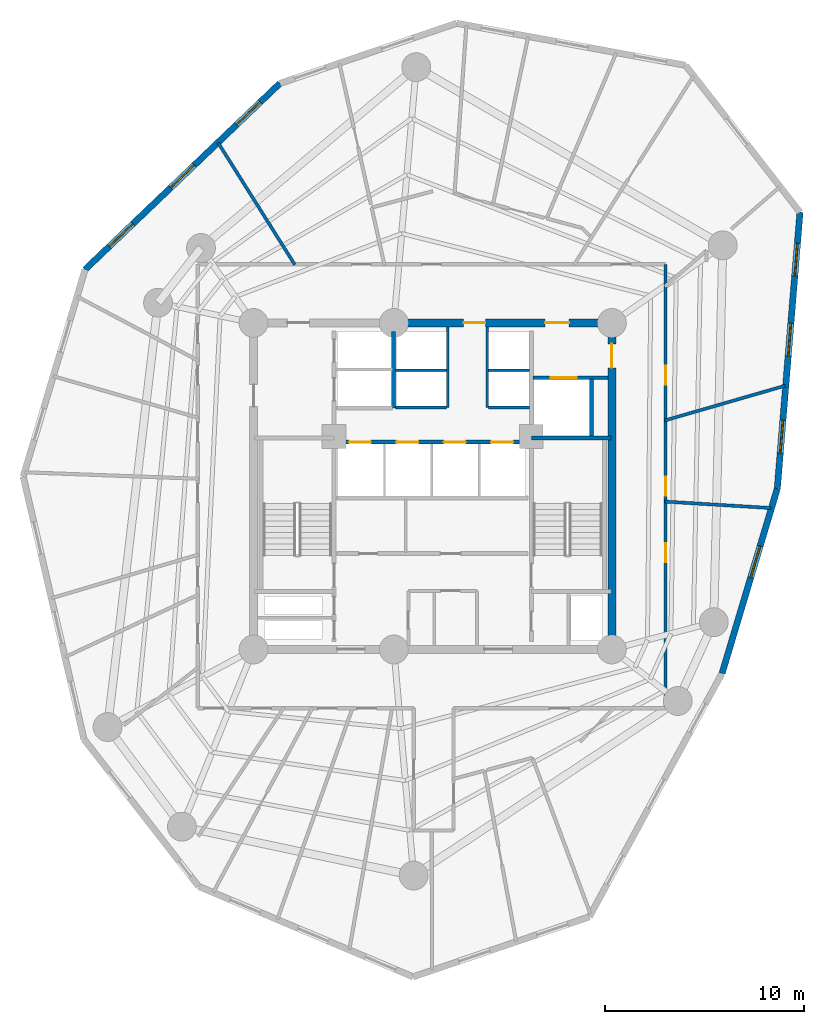
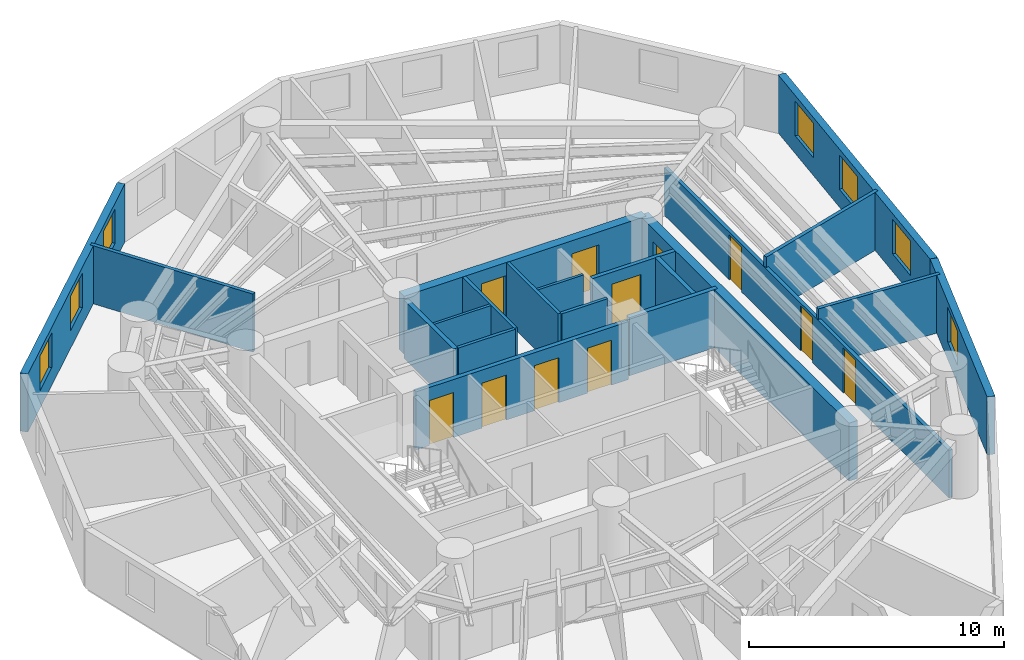
# One storey, part 5 of 7: 20 walls, 11 doors, 7 windows, 18 openings.
"""IFC4 building model written with IfcOpenShell, lengths in metres."""

from ifc_helpers import new_model, si_unit, direction, frame, frame_2d, origin, origin_with_axes, place, context, subcontext, project, spatial, rectangle, extrude, source, transform, mapped, material, layer, layer_set, type_object, element, fill, save


model = new_model("IFC4")

# Units and contexts
model_context = context("Model", 3, precision=1e-05, world=origin(), true_north=direction((0.0, 1.0)))
body_context = subcontext(model_context, "Body", "Model", "MODEL_VIEW")
ifc_project = project(units=[si_unit("LENGTHUNIT", "METRE"), si_unit("AREAUNIT", "SQUARE_METRE"), si_unit("VOLUMEUNIT", "CUBIC_METRE"), si_unit("PLANEANGLEUNIT", "RADIAN"), si_unit("MASSUNIT", "GRAM", prefix="KILO")], contexts=[model_context])

# Site, building, storey
site_placement = place(None, origin())
site = spatial("IfcSite", under=ifc_project, at=site_placement, CompositionType="ELEMENT")
building_placement = place(site_placement, origin())
building = spatial("IfcBuilding", under=site, at=building_placement, Name="Karkom Vertical University and Central Library", CompositionType="ELEMENT")
storey_placement = place(building_placement, frame((0.0, 0.0, 145.0)))
storey = spatial("IfcBuildingStorey", under=building, at=storey_placement, Name="L41", CompositionType="ELEMENT", Elevation=145.0)

# Wall, opening, window
ifc_material_1 = material(Name="Brick-faced precast concrete C45/55", Category="masonry")
ifc_layer_1 = layer(ifc_material_1, 0.320068359375)
ifc_layer_set_1 = layer_set([ifc_layer_1], Name="Brick-faced precast concrete C45/55")
wall_type_1 = type_object("IfcWallType", Name="ENV-WL-BRK-320", PredefinedType="SOLIDWALL", material=ifc_layer_set_1)
wall_1_placement = place(storey_placement, frame((43.03857421875, 17.1005859375, 0.0), z_axis=(0.0, 0.0, 1.0), x_axis=(0.286360235916, 0.958122025259, 0.0)))
wall_1 = element("IfcWall", 1, at=wall_1_placement, inside=storey, type_object=wall_type_1, Name="Level 41 Brick-Faced Precast Facade Wall 07", PredefinedType="SOLIDWALL", context=body_context, shape_type="SweptSolid", body=[
    extrude(rectangle(XDim=9.68505859375, YDim=0.320068359375, at=frame_2d((4.842529296875, 0.0))), origin(), (0.0, 0.0, 1.0), 2.77490234375),
])
opening_1_placement = place(wall_1_placement, frame((5.027099609375, 0.0, 0.85009765625)))
opening_1 = element("IfcOpeningElement", 2, at=opening_1_placement, cuts=wall_1, Name="Opening WN-06", PredefinedType="OPENING", context=body_context, shape_type="SweptSolid", body=[
    extrude(rectangle(XDim=1.64990234375, YDim=1.64990234375, at=frame_2d((0.824951171875, 0.824951171875))), frame((0.0, 0.169921875, 0.0), z_axis=(0.0, -1.0, 0.0), x_axis=(1.0, 0.0, 0.0)), (0.0, 0.0, 1.0), 0.340087890625),
])
ifc_material_2 = material(Name="Aluminium thermal-break frame with solar-control IGU", Category="aluminium")
window_type = type_object("IfcWindowType", Name="ENV-WIN-WN-06", PartitioningType="SINGLE_PANEL", PredefinedType="WINDOW", material=ifc_material_2)
shared_shape_1 = source(origin_with_axes(), body_context, "Body", "SweptSolid", [
    extrude(rectangle(XDim=1.64990234375, YDim=1.64990234375, at=frame_2d((0.824951171875, 0.824951171875))), frame((0.0, 0.030029296875, 0.0), z_axis=(0.0, -1.0, 0.0), x_axis=(1.0, 0.0, 0.0)), (0.0, 0.0, 1.0), 0.06005859375),
])
window_1_placement = place(opening_1_placement, origin())
window_1 = element("IfcWindow", 3, at=window_1_placement, inside=storey, type_object=window_type, Name="Level 41 Punched Window 7.1", OverallHeight=1.64990234375, OverallWidth=1.64990234375, PartitioningType="SINGLE_PANEL", PredefinedType="WINDOW", context=body_context, shape_type="MappedRepresentation", body=[
    mapped(shared_shape_1, transform((0.0, 0.0, 0.0), scale=1.0)),
])
fill(opening_1, window_1)

# Wall, openings, windows
wall_2_placement = place(storey_placement, frame((45.81201171875, 26.380126953125, 0.0), z_axis=(0.0, 0.0, 1.0), x_axis=(0.081815912513, 0.996647458462, 0.0)))
wall_2 = element("IfcWall", 4, at=wall_2_placement, inside=storey, type_object=wall_type_1, Name="Level 41 Brick-Faced Precast Facade Wall 08", PredefinedType="SOLIDWALL", context=body_context, shape_type="SweptSolid", body=[
    extrude(rectangle(XDim=13.935302734375, YDim=0.320068359375, at=frame_2d((6.9677734375, 0.0))), origin(), (0.0, 0.0, 1.0), 2.77490234375),
])
opening_2_placement = place(wall_2_placement, frame((1.791015625, 0.0, 0.85009765625)))
opening_2 = element("IfcOpeningElement", 5, at=opening_2_placement, cuts=wall_2, Name="Opening WN-06", PredefinedType="OPENING", context=body_context, shape_type="SweptSolid", body=[
    extrude(rectangle(XDim=1.64990234375, YDim=1.64990234375, at=frame_2d((0.824951171875, 0.824951171875))), frame((0.0, 0.169921875, 0.0), z_axis=(0.0, -1.0, 0.0), x_axis=(1.0, 0.0, 0.0)), (0.0, 0.0, 1.0), 0.340087890625),
])
opening_3_placement = place(wall_2_placement, frame((6.68310546875, 0.0, 0.85009765625)))
opening_3 = element("IfcOpeningElement", 6, at=opening_3_placement, cuts=wall_2, Name="Opening WN-06", PredefinedType="OPENING", context=body_context, shape_type="SweptSolid", body=[
    extrude(rectangle(XDim=1.64990234375, YDim=1.64990234375, at=frame_2d((0.824951171875, 0.824951171875))), frame((0.0, 0.169921875, 0.0), z_axis=(0.0, -1.0, 0.0), x_axis=(1.0, 0.0, 0.0)), (0.0, 0.0, 1.0), 0.340087890625),
])
opening_4_placement = place(wall_2_placement, frame((10.714599609375, 0.0, 0.85009765625)))
opening_4 = element("IfcOpeningElement", 7, at=opening_4_placement, cuts=wall_2, Name="Opening WN-06", PredefinedType="OPENING", context=body_context, shape_type="SweptSolid", body=[
    extrude(rectangle(XDim=1.64990234375, YDim=1.64990234375, at=frame_2d((0.824951171875, 0.824951171875))), frame((0.0, 0.169921875, 0.0), z_axis=(0.0, -1.0, 0.0), x_axis=(1.0, 0.0, 0.0)), (0.0, 0.0, 1.0), 0.340087890625),
])
window_2_placement = place(opening_2_placement, origin())
window_2 = element("IfcWindow", 8, at=window_2_placement, inside=storey, type_object=window_type, Name="Level 41 Punched Window 8.1", OverallHeight=1.64990234375, OverallWidth=1.64990234375, PartitioningType="SINGLE_PANEL", PredefinedType="WINDOW", context=body_context, shape_type="MappedRepresentation", body=[
    mapped(shared_shape_1, transform((0.0, 0.0, 0.0), scale=1.0)),
])
fill(opening_2, window_2)
window_3_placement = place(opening_3_placement, origin())
window_3 = element("IfcWindow", 9, at=window_3_placement, inside=storey, type_object=window_type, Name="Level 41 Punched Window 8.2", OverallHeight=1.64990234375, OverallWidth=1.64990234375, PartitioningType="SINGLE_PANEL", PredefinedType="WINDOW", context=body_context, shape_type="MappedRepresentation", body=[
    mapped(shared_shape_1, transform((0.0, 0.0, 0.0), scale=1.0)),
])
fill(opening_3, window_3)
window_4_placement = place(opening_4_placement, origin())
window_4 = element("IfcWindow", 10, at=window_4_placement, inside=storey, type_object=window_type, Name="Level 41 Punched Window 8.3", OverallHeight=1.64990234375, OverallWidth=1.64990234375, PartitioningType="SINGLE_PANEL", PredefinedType="WINDOW", context=body_context, shape_type="MappedRepresentation", body=[
    mapped(shared_shape_1, transform((0.0, 0.0, 0.0), scale=1.0)),
])
fill(opening_4, window_4)

wall_3_placement = place(storey_placement, frame((20.826904296875, 46.740478515625, 0.0), z_axis=(0.0, 0.0, 1.0), x_axis=(-0.722938477664, -0.690912409436, 0.0)))
wall_3 = element("IfcWall", 11, at=wall_3_placement, inside=storey, type_object=wall_type_1, Name="Level 41 Brick-Faced Precast Facade Wall 12", PredefinedType="SOLIDWALL", context=body_context, shape_type="SweptSolid", body=[
    extrude(rectangle(XDim=13.54638671875, YDim=0.320068359375, at=frame_2d((6.773193359375, 0.0))), origin(), (0.0, 0.0, 1.0), 2.77490234375),
])
opening_5_placement = place(wall_3_placement, frame((1.363525390625, 0.0, 0.85009765625)))
opening_5 = element("IfcOpeningElement", 12, at=opening_5_placement, cuts=wall_3, Name="Opening WN-06", PredefinedType="OPENING", context=body_context, shape_type="SweptSolid", body=[
    extrude(rectangle(XDim=1.64990234375, YDim=1.64990234375, at=frame_2d((0.824951171875, 0.824951171875))), frame((0.0, 0.169921875, 0.0), z_axis=(0.0, -1.0, 0.0), x_axis=(1.0, 0.0, 0.0)), (0.0, 0.0, 1.0), 0.340087890625),
])
opening_6_placement = place(wall_3_placement, frame((5.9443359375, 0.0, 0.85009765625)))
opening_6 = element("IfcOpeningElement", 13, at=opening_6_placement, cuts=wall_3, Name="Opening WN-06", PredefinedType="OPENING", context=body_context, shape_type="SweptSolid", body=[
    extrude(rectangle(XDim=1.64990234375, YDim=1.64990234375, at=frame_2d((0.824951171875, 0.824951171875))), frame((0.0, 0.169921875, 0.0), z_axis=(0.0, -1.0, 0.0), x_axis=(1.0, 0.0, 0.0)), (0.0, 0.0, 1.0), 0.340087890625),
])
opening_7_placement = place(wall_3_placement, frame((10.208984375, 0.0, 0.85009765625)))
opening_7 = element("IfcOpeningElement", 14, at=opening_7_placement, cuts=wall_3, Name="Opening WN-06", PredefinedType="OPENING", context=body_context, shape_type="SweptSolid", body=[
    extrude(rectangle(XDim=1.64990234375, YDim=1.64990234375, at=frame_2d((0.824951171875, 0.824951171875))), frame((0.0, 0.169921875, 0.0), z_axis=(0.0, -1.0, 0.0), x_axis=(1.0, 0.0, 0.0)), (0.0, 0.0, 1.0), 0.340087890625),
])
window_5_placement = place(opening_5_placement, origin())
window_5 = element("IfcWindow", 15, at=window_5_placement, inside=storey, type_object=window_type, Name="Level 41 Punched Window 12.1", OverallHeight=1.64990234375, OverallWidth=1.64990234375, PartitioningType="SINGLE_PANEL", PredefinedType="WINDOW", context=body_context, shape_type="MappedRepresentation", body=[
    mapped(shared_shape_1, transform((0.0, 0.0, 0.0), scale=1.0)),
])
fill(opening_5, window_5)
window_6_placement = place(opening_6_placement, origin())
window_6 = element("IfcWindow", 16, at=window_6_placement, inside=storey, type_object=window_type, Name="Level 41 Punched Window 12.2", OverallHeight=1.64990234375, OverallWidth=1.64990234375, PartitioningType="SINGLE_PANEL", PredefinedType="WINDOW", context=body_context, shape_type="MappedRepresentation", body=[
    mapped(shared_shape_1, transform((0.0, 0.0, 0.0), scale=1.0)),
])
fill(opening_6, window_6)
window_7_placement = place(opening_7_placement, origin())
window_7 = element("IfcWindow", 17, at=window_7_placement, inside=storey, type_object=window_type, Name="Level 41 Punched Window 12.3", OverallHeight=1.64990234375, OverallWidth=1.64990234375, PartitioningType="SINGLE_PANEL", PredefinedType="WINDOW", context=body_context, shape_type="MappedRepresentation", body=[
    mapped(shared_shape_1, transform((0.0, 0.0, 0.0), scale=1.0)),
])
fill(opening_7, window_7)

# Wall, openings, doors
ifc_material_3 = material(Name="Insulated metal-stud drywall 160mm", Category="gypsum")
ifc_layer_2 = layer(ifc_material_3, 0.159912109375)
ifc_layer_set_2 = layer_set([ifc_layer_2], Name="Insulated metal-stud drywall 160mm")
wall_type_2 = type_object("IfcWallType", Name="INT-WL-COR-160", PredefinedType="PARTITIONING", material=ifc_layer_set_2)
wall_4_placement = place(storey_placement, frame((40.199951171875, 37.64990234375, 0.0), z_axis=(0.0, 0.0, 1.0), x_axis=(0.0, -1.0, 0.0)))
wall_4 = element("IfcWall", 18, at=wall_4_placement, inside=storey, type_object=wall_type_2, Name="Level 41 Interior Partition Wall L41-CORW-CW-004", PredefinedType="PARTITIONING", context=body_context, shape_type="SweptSolid", body=[
    extrude(rectangle(XDim=22.2998046875, YDim=0.159912109375, at=frame_2d((11.14990234375, 0.0))), origin(), (0.0, 0.0, 1.0), 2.27490234375),
])
opening_8_placement = place(wall_4_placement, frame((14.02001953125, 0.0, 0.0)))
opening_8 = element("IfcOpeningElement", 19, at=opening_8_placement, cuts=wall_4, Name="Opening D-RM1", PredefinedType="OPENING", context=body_context, shape_type="SweptSolid", body=[
    extrude(rectangle(XDim=0.949951171875, YDim=2.14990234375, at=frame_2d((0.47509765625, 1.074951171875))), frame((0.0, 0.08984375, 0.0), z_axis=(0.0, -1.0, 0.0), x_axis=(1.0, 0.0, 0.0)), (0.0, 0.0, 1.0), 0.179931640625),
])
opening_9_placement = place(wall_4_placement, frame((10.675048828125, 0.0, 0.0)))
opening_9 = element("IfcOpeningElement", 20, at=opening_9_placement, cuts=wall_4, Name="Opening FD-RM2", PredefinedType="OPENING", context=body_context, shape_type="SweptSolid", body=[
    extrude(rectangle(XDim=0.9599609375, YDim=2.14990234375, at=frame_2d((0.47998046875, 1.074951171875))), frame((0.0, 0.08984375, 0.0), z_axis=(0.0, -1.0, 0.0), x_axis=(1.0, 0.0, 0.0)), (0.0, 0.0, 1.0), 0.179931640625),
])
opening_10_placement = place(wall_4_placement, frame((5.10009765625, 0.0, 0.0)))
opening_10 = element("IfcOpeningElement", 21, at=opening_10_placement, cuts=wall_4, Name="Opening FD-RM2", PredefinedType="OPENING", context=body_context, shape_type="SweptSolid", body=[
    extrude(rectangle(XDim=0.9599609375, YDim=2.14990234375, at=frame_2d((0.47998046875, 1.074951171875))), frame((0.0, 0.08984375, 0.0), z_axis=(0.0, -1.0, 0.0), x_axis=(1.0, 0.0, 0.0)), (0.0, 0.0, 1.0), 0.179931640625),
])
ifc_material_4 = material(Name="Fire-rated oak veneer door", Category="wood")
door_type_1 = type_object("IfcDoorType", Name="INT-DR-FRM2", OperationType="NOTDEFINED", PredefinedType="DOOR", material=ifc_material_4)
shared_shape_2 = source(origin_with_axes(), body_context, "Body", "SweptSolid", [
    extrude(rectangle(XDim=0.9599609375, YDim=2.14990234375, at=frame_2d((0.47998046875, 1.074951171875))), frame((0.0, 0.02490234375, 0.0), z_axis=(0.0, -1.0, 0.0), x_axis=(1.0, 0.0, 0.0)), (0.0, 0.0, 1.0), 0.050048828125),
])
door_1_placement = place(opening_9_placement, origin())
door_1 = element("IfcDoor", 22, at=door_1_placement, inside=storey, type_object=door_type_1, Name="Level 41 Room Entry Door 130", OperationType="SINGLE_SWING_LEFT", OverallHeight=2.14990234375, OverallWidth=0.9599609375, PredefinedType="DOOR", context=body_context, shape_type="MappedRepresentation", body=[
    mapped(shared_shape_2, transform((0.0, 0.0, 0.0), scale=1.0)),
])
fill(opening_9, door_1)
door_2_placement = place(opening_10_placement, origin())
door_2 = element("IfcDoor", 23, at=door_2_placement, inside=storey, type_object=door_type_1, Name="Level 41 Room Entry Door 140", OperationType="SINGLE_SWING_RIGHT", OverallHeight=2.14990234375, OverallWidth=0.9599609375, PredefinedType="DOOR", context=body_context, shape_type="MappedRepresentation", body=[
    mapped(shared_shape_2, transform((0.0, 0.0, 0.0), scale=1.0)),
])
fill(opening_10, door_2)
ifc_material_5 = material(Name="Solid-core oak veneer door", Category="wood")
door_type_2 = type_object("IfcDoorType", Name="INT-DR-RM1", OperationType="NOTDEFINED", PredefinedType="DOOR", material=ifc_material_5)
shared_shape_3 = source(origin_with_axes(), body_context, "Body", "SweptSolid", [
    extrude(rectangle(XDim=0.949951171875, YDim=2.14990234375, at=frame_2d((0.47509765625, 1.074951171875))), frame((0.0, 0.02490234375, 0.0), z_axis=(0.0, -1.0, 0.0), x_axis=(1.0, 0.0, 0.0)), (0.0, 0.0, 1.0), 0.050048828125),
])
door_3_placement = place(opening_8_placement, origin())
door_3 = element("IfcDoor", 24, at=door_3_placement, inside=storey, type_object=door_type_2, Name="Level 41 Room Entry Door 120", OperationType="SINGLE_SWING_RIGHT", OverallHeight=2.14990234375, OverallWidth=0.949951171875, PredefinedType="DOOR", context=body_context, shape_type="MappedRepresentation", body=[
    mapped(shared_shape_3, transform((0.0, 0.0, 0.0), scale=1.0)),
])
fill(opening_8, door_3)

# Walls
wall_5_placement = place(storey_placement, frame((21.57666015625, 37.62451171875, 0.0), z_axis=(0.0, 0.0, 1.0), x_axis=(-0.532280142695, 0.846568278222, 0.0)))
element("IfcWall", 25, at=wall_5_placement, inside=storey, type_object=wall_type_2, Name="Level 41 Interior Partition Wall L41-PW-030", PredefinedType="PARTITIONING", context=body_context, shape_type="SweptSolid", body=[
    extrude(rectangle(XDim=7.228271484375, YDim=0.159912109375, at=frame_2d((3.6142578125, 0.0))), origin(), (0.0, 0.0, 1.0), 2.77490234375),
])
wall_6_placement = place(storey_placement, frame((40.15673828125, 29.802978515625, 0.0), z_axis=(0.0, 0.0, 1.0), x_axis=(0.960761028728, 0.277377442624, 0.0)))
element("IfcWall", 26, at=wall_6_placement, inside=storey, type_object=wall_type_2, Name="Level 41 Interior Partition Wall L41-PW-016", PredefinedType="PARTITIONING", context=body_context, shape_type="SweptSolid", body=[
    extrude(rectangle(XDim=6.297607421875, YDim=0.159912109375, at=frame_2d((3.14892578125, 0.0))), origin(), (0.0, 0.0, 1.0), 2.77490234375),
])
wall_7_placement = place(storey_placement, frame((40.170166015625, 25.728759765625, 0.0), z_axis=(0.0, 0.0, 1.0), x_axis=(0.998146901576, -0.060850331752, 0.0)))
element("IfcWall", 27, at=wall_7_placement, inside=storey, type_object=wall_type_2, Name="Level 41 Interior Partition Wall L41-PW-015", PredefinedType="PARTITIONING", context=body_context, shape_type="SweptSolid", body=[
    extrude(rectangle(XDim=5.33203125, YDim=0.159912109375, at=frame_2d((2.666015625, 0.0))), origin(), (0.0, 0.0, 1.0), 2.77490234375),
])
ifc_material_6 = material(Name="Moisture-resistant drywall 120mm", Category="gypsum")
ifc_layer_3 = layer(ifc_material_6, 0.1201171875)
ifc_layer_set_3 = layer_set([ifc_layer_3], Name="Moisture-resistant drywall 120mm")
wall_type_3 = type_object("IfcWallType", Name="INT-WL-INT-120H", PredefinedType="PARTITIONING", material=ifc_layer_set_3)
wall_8_placement = place(storey_placement, frame((26.6201171875, 32.320068359375, 0.0), z_axis=(0.0, 0.0, 1.0), x_axis=(1.0, 0.0, 0.0)))
element("IfcWall", 28, at=wall_8_placement, inside=storey, type_object=wall_type_3, Name="Level 41 Interior Partition Wall L41-CW-PH-MW", PredefinedType="PARTITIONING", context=body_context, shape_type="SweptSolid", body=[
    extrude(rectangle(XDim=2.579833984375, YDim=0.1201171875, at=frame_2d((1.2900390625, 0.0))), origin(), (0.0, 0.0, 1.0), 2.77490234375),
])
wall_9_placement = place(storey_placement, frame((31.300048828125, 32.320068359375, 0.0), z_axis=(0.0, 0.0, 1.0), x_axis=(1.0, 0.0, 0.0)))
element("IfcWall", 29, at=wall_9_placement, inside=storey, type_object=wall_type_3, Name="Level 41 Interior Partition Wall L41-CW-PH-ME", PredefinedType="PARTITIONING", context=body_context, shape_type="SweptSolid", body=[
    extrude(rectangle(XDim=2.074951171875, YDim=0.1201171875, at=frame_2d((1.03759765625, 0.0))), origin(), (0.0, 0.0, 1.0), 2.77490234375),
])
ifc_material_7 = material(Name="Metal-stud gypsum partition 140mm", Category="gypsum")
ifc_layer_4 = layer(ifc_material_7, 0.139892578125)
ifc_layer_set_4 = layer_set([ifc_layer_4], Name="Metal-stud gypsum partition 140mm")
wall_type_4 = type_object("IfcWallType", Name="INT-WL-SUB-140H", PredefinedType="PARTITIONING", material=ifc_layer_set_4)
for number, where, z_axis, x_axis, name in (
    (30, (29.260009765625, 30.449951171875, 0.0), (0.0, 0.0, 1.0), (0.0, 1.0, 0.0), "Level 41 Interior Partition Wall L41-CW-PH-W"),
    (31, (31.239990234375, 30.449951171875, 0.0), (0.0, 0.0, 1.0), (0.0, 1.0, 0.0), "Level 41 Interior Partition Wall L41-CW-PH-E"),
):
    element("IfcWall", number, at=place(storey_placement, frame(where, z_axis=z_axis, x_axis=x_axis)), inside=storey, type_object=wall_type_4, Name=name, PredefinedType="PARTITIONING", context=body_context, shape_type="SweptSolid", body=[
        extrude(rectangle(XDim=4.04296875, YDim=0.139892578125, at=frame_2d((2.021484375, 0.0))), origin(), (0.0, 0.0, 1.0), 2.77490234375),
    ])
wall_10_placement = place(storey_placement, frame((26.6201171875, 30.449951171875, 0.0), z_axis=(0.0, 0.0, 1.0), x_axis=(1.0, 0.0, 0.0)))
element("IfcWall", 32, at=wall_10_placement, inside=storey, type_object=wall_type_4, Name="Level 41 Interior Partition Wall L41-CW-PH-S1", PredefinedType="PARTITIONING", context=body_context, shape_type="SweptSolid", body=[
    extrude(rectangle(XDim=2.579833984375, YDim=0.139892578125, at=frame_2d((1.2900390625, 0.0))), origin(), (0.0, 0.0, 1.0), 2.77490234375),
])
wall_11_placement = place(storey_placement, frame((31.300048828125, 30.449951171875, 0.0), z_axis=(0.0, 0.0, 1.0), x_axis=(1.0, 0.0, 0.0)))
element("IfcWall", 33, at=wall_11_placement, inside=storey, type_object=wall_type_4, Name="Level 41 Interior Partition Wall L41-CW-PH-S2", PredefinedType="PARTITIONING", context=body_context, shape_type="SweptSolid", body=[
    extrude(rectangle(XDim=2.074951171875, YDim=0.139892578125, at=frame_2d((1.03759765625, 0.0))), origin(), (0.0, 0.0, 1.0), 2.77490234375),
])

# Wall, opening, door
ifc_material_8 = material(Name="Twin-stud acoustic drywall 180mm", Category="gypsum")
ifc_layer_5 = layer(ifc_material_8, 0.179931640625)
ifc_layer_set_5 = layer_set([ifc_layer_5], Name="Twin-stud acoustic drywall 180mm")
wall_type_5 = type_object("IfcWallType", Name="INT-WL-TEN-180F", PredefinedType="PARTITIONING", material=ifc_layer_set_5)
wall_12_placement = place(storey_placement, frame((33.534912109375, 31.949951171875, 0.0), z_axis=(0.0, 0.0, 1.0), x_axis=(1.0, 0.0, 0.0)))
wall_12 = element("IfcWall", 34, at=wall_12_placement, inside=storey, type_object=wall_type_5, Name="Level 41 Interior Partition Wall L41-CW-SVL-N", PredefinedType="PARTITIONING", context=body_context, shape_type="SweptSolid", body=[
    extrude(rectangle(XDim=3.7587890625, YDim=0.179931640625, at=frame_2d((1.87939453125, 0.0))), origin(), (0.0, 0.0, 1.0), 2.77490234375),
])
opening_11_placement = place(wall_12_placement, frame((0.89990234375, 0.0, 0.0)))
opening_11 = element("IfcOpeningElement", 35, at=opening_11_placement, cuts=wall_12, Name="Opening LD-SV1", PredefinedType="OPENING", context=body_context, shape_type="SweptSolid", body=[
    extrude(rectangle(XDim=1.300048828125, YDim=2.199951171875, at=frame_2d((0.64990234375, 1.10009765625))), frame((0.0, 0.10009765625, 0.0), z_axis=(0.0, -1.0, 0.0), x_axis=(1.0, 0.0, 0.0)), (0.0, 0.0, 1.0), 0.199951171875),
])
ifc_material_9 = material(Name="Brushed stainless-steel landing door", Category="steel")
door_type_3 = type_object("IfcDoorType", Name="INT-DR-LD-SV1", OperationType="SLIDING_TO_LEFT", PredefinedType="DOOR", material=ifc_material_9)
shared_shape_4 = source(origin_with_axes(), body_context, "Body", "SweptSolid", [
    extrude(rectangle(XDim=1.300048828125, YDim=2.199951171875, at=frame_2d((0.64990234375, 1.10009765625))), frame((0.0, 0.02490234375, 0.0), z_axis=(0.0, -1.0, 0.0), x_axis=(1.0, 0.0, 0.0)), (0.0, 0.0, 1.0), 0.050048828125),
])
door_4_placement = place(opening_11_placement, origin())
door_4 = element("IfcDoor", 36, at=door_4_placement, inside=storey, type_object=door_type_3, Name="Level 41 Service Lift Landing Door LD-SV1", OperationType="SLIDING_TO_LEFT", OverallHeight=2.199951171875, OverallWidth=1.300048828125, PredefinedType="DOOR", context=body_context, shape_type="MappedRepresentation", body=[
    mapped(shared_shape_4, transform((0.0, 0.0, 0.0), scale=1.0)),
])
fill(opening_11, door_4)

ifc_material_10 = material(Name="Concrete C50/60", Category="concrete")
ifc_layer_6 = layer(ifc_material_10, 0.39990234375)
ifc_layer_set_6 = layer_set([ifc_layer_6], Name="Concrete C50/60")
wall_type_6 = type_object("IfcWallType", Name="STR-WL-CW-400", PredefinedType="SHEAR", material=ifc_layer_set_6)
wall_13_placement = place(storey_placement, frame((37.5, 18.300048828125, 0.0), z_axis=(0.0, 0.0, 1.0), x_axis=(0.0, 1.0, 0.0)))
wall_13 = element("IfcWall", 37, at=wall_13_placement, inside=storey, type_object=wall_type_6, Name="Level 41 Central Core Shear Wall EW", PredefinedType="SHEAR", context=body_context, shape_type="SweptSolid", body=[
    extrude(rectangle(XDim=16.39990234375, YDim=0.39990234375, at=frame_2d((8.199951171875, 0.0))), origin(), (0.0, 0.0, 1.0), 2.77490234375),
])
opening_12_placement = place(wall_13_placement, frame((14.14990234375, 0.0, 0.0)))
opening_12 = element("IfcOpeningElement", 38, at=opening_12_placement, cuts=wall_13, Name="Opening FD-SUB1", PredefinedType="OPENING", context=body_context, shape_type="SweptSolid", body=[
    extrude(rectangle(XDim=1.199951171875, YDim=2.14990234375, at=frame_2d((0.60009765625, 1.074951171875))), frame((0.0, 0.2099609375, 0.0), z_axis=(0.0, -1.0, 0.0), x_axis=(1.0, 0.0, 0.0)), (0.0, 0.0, 1.0), 0.419921875),
])
ifc_material_11 = material(Name="Painted steel fire door", Category="steel")
door_type_4 = type_object("IfcDoorType", Name="INT-DR-SUB1", OperationType="NOTDEFINED", PredefinedType="DOOR", material=ifc_material_11)
shared_shape_5 = source(origin_with_axes(), body_context, "Body", "SweptSolid", [
    extrude(rectangle(XDim=1.199951171875, YDim=2.14990234375, at=frame_2d((0.60009765625, 1.074951171875))), frame((0.0, 0.02490234375, 0.0), z_axis=(0.0, -1.0, 0.0), x_axis=(1.0, 0.0, 0.0)), (0.0, 0.0, 1.0), 0.050048828125),
])
door_5_placement = place(opening_12_placement, origin())
door_5 = element("IfcDoor", 39, at=door_5_placement, inside=storey, type_object=door_type_4, Name="Level 41 East Corridor Service Lobby Door", OperationType="SINGLE_SWING_RIGHT", OverallHeight=2.14990234375, OverallWidth=1.199951171875, PredefinedType="DOOR", context=body_context, shape_type="MappedRepresentation", body=[
    mapped(shared_shape_5, transform((0.0, 0.0, 0.0), scale=1.0)),
])
fill(opening_12, door_5)

# Wall, openings, doors
wall_14_placement = place(storey_placement, frame((37.5, 34.699951171875, 0.0), z_axis=(0.0, 0.0, 1.0), x_axis=(-1.0, 0.0, 0.0)))
wall_14 = element("IfcWall", 40, at=wall_14_placement, inside=storey, type_object=wall_type_6, Name="Level 41 Central Core Shear Wall NW1", PredefinedType="SHEAR", context=body_context, shape_type="SweptSolid", body=[
    extrude(rectangle(XDim=10.949951171875, YDim=0.39990234375, at=frame_2d((5.47509765625, 0.0))), origin(), (0.0, 0.0, 1.0), 2.77490234375),
])
opening_13_placement = place(wall_14_placement, frame((2.14990234375, 0.0, 0.0)))
opening_13 = element("IfcOpeningElement", 41, at=opening_13_placement, cuts=wall_14, Name="Opening FD-SUB1", PredefinedType="OPENING", context=body_context, shape_type="SweptSolid", body=[
    extrude(rectangle(XDim=1.199951171875, YDim=2.14990234375, at=frame_2d((0.60009765625, 1.074951171875))), frame((0.0, 0.2099609375, 0.0), z_axis=(0.0, -1.0, 0.0), x_axis=(1.0, 0.0, 0.0)), (0.0, 0.0, 1.0), 0.419921875),
])
opening_14_placement = place(wall_14_placement, frame((6.35009765625, 0.0, 0.0)))
opening_14 = element("IfcOpeningElement", 42, at=opening_14_placement, cuts=wall_14, Name="Opening FD-FFL", PredefinedType="OPENING", context=body_context, shape_type="SweptSolid", body=[
    extrude(rectangle(XDim=1.10009765625, YDim=2.14990234375, at=frame_2d((0.550048828125, 1.074951171875))), frame((0.0, 0.2099609375, 0.0), z_axis=(0.0, -1.0, 0.0), x_axis=(1.0, 0.0, 0.0)), (0.0, 0.0, 1.0), 0.419921875),
])
ifc_material_12 = material(Name="Painted steel smoke-seal fire door", Category="steel")
door_type_5 = type_object("IfcDoorType", Name="INT-DR-FFL", OperationType="NOTDEFINED", PredefinedType="DOOR", material=ifc_material_12)
shared_shape_6 = source(origin_with_axes(), body_context, "Body", "SweptSolid", [
    extrude(rectangle(XDim=1.10009765625, YDim=2.14990234375, at=frame_2d((0.550048828125, 1.074951171875))), frame((0.0, 0.02490234375, 0.0), z_axis=(0.0, -1.0, 0.0), x_axis=(1.0, 0.0, 0.0)), (0.0, 0.0, 1.0), 0.050048828125),
])
door_6_placement = place(opening_14_placement, origin())
door_6 = element("IfcDoor", 43, at=door_6_placement, inside=storey, type_object=door_type_5, Name="Level 41 North Core Lobby Exit Door", OperationType="SINGLE_SWING_LEFT", OverallHeight=2.14990234375, OverallWidth=1.10009765625, PredefinedType="DOOR", context=body_context, shape_type="MappedRepresentation", body=[
    mapped(shared_shape_6, transform((0.0, 0.0, 0.0), scale=1.0)),
])
fill(opening_14, door_6)
door_7_placement = place(opening_13_placement, origin())
door_7 = element("IfcDoor", 44, at=door_7_placement, inside=storey, type_object=door_type_4, Name="Level 41 Service Lobby Fire Door", OperationType="SINGLE_SWING_LEFT", OverallHeight=2.14990234375, OverallWidth=1.199951171875, PredefinedType="DOOR", context=body_context, shape_type="MappedRepresentation", body=[
    mapped(shared_shape_5, transform((0.0, 0.0, 0.0), scale=1.0)),
])
fill(opening_13, door_7)

ifc_material_13 = material(Name="Concrete C45/55", Category="concrete")
ifc_layer_7 = layer(ifc_material_13, 0.199951171875)
ifc_layer_set_7 = layer_set([ifc_layer_7], Name="Concrete C45/55")
wall_type_7 = type_object("IfcWallType", Name="STR-WL-ST-200", PredefinedType="SHEAR", material=ifc_layer_set_7)
wall_15_placement = place(storey_placement, frame((23.699951171875, 28.719970703125, 0.0), z_axis=(0.0, 0.0, 1.0), x_axis=(1.0, 0.0, 0.0)))
wall_15 = element("IfcWall", 45, at=wall_15_placement, inside=storey, type_object=wall_type_7, Name="Level 41 Core Shaft Wall L41-CW-B2-N", PredefinedType="SHEAR", context=body_context, shape_type="SweptSolid", body=[
    extrude(rectangle(XDim=9.60009765625, YDim=0.199951171875, at=frame_2d((4.800048828125, 0.0))), origin(), (0.0, 0.0, 1.0), 2.77490234375),
])
opening_15_placement = place(wall_15_placement, frame((0.60009765625, 0.0, 0.0)))
opening_15 = element("IfcOpeningElement", 46, at=opening_15_placement, cuts=wall_15, Name="Opening LD-PAX", PredefinedType="OPENING", context=body_context, shape_type="SweptSolid", body=[
    extrude(rectangle(XDim=1.10009765625, YDim=2.14990234375, at=frame_2d((0.550048828125, 1.074951171875))), frame((0.0, 0.10986328125, 0.0), z_axis=(0.0, -1.0, 0.0), x_axis=(1.0, 0.0, 0.0)), (0.0, 0.0, 1.0), 0.219970703125),
])
opening_16_placement = place(wall_15_placement, frame((2.97998046875, 0.0, 0.0)))
opening_16 = element("IfcOpeningElement", 47, at=opening_16_placement, cuts=wall_15, Name="Opening LD-PAX", PredefinedType="OPENING", context=body_context, shape_type="SweptSolid", body=[
    extrude(rectangle(XDim=1.10009765625, YDim=2.14990234375, at=frame_2d((0.550048828125, 1.074951171875))), frame((0.0, 0.10986328125, 0.0), z_axis=(0.0, -1.0, 0.0), x_axis=(1.0, 0.0, 0.0)), (0.0, 0.0, 1.0), 0.219970703125),
])
opening_17_placement = place(wall_15_placement, frame((5.360107421875, 0.0, 0.0)))
opening_17 = element("IfcOpeningElement", 48, at=opening_17_placement, cuts=wall_15, Name="Opening LD-PAX", PredefinedType="OPENING", context=body_context, shape_type="SweptSolid", body=[
    extrude(rectangle(XDim=1.10009765625, YDim=2.14990234375, at=frame_2d((0.550048828125, 1.074951171875))), frame((0.0, 0.10986328125, 0.0), z_axis=(0.0, -1.0, 0.0), x_axis=(1.0, 0.0, 0.0)), (0.0, 0.0, 1.0), 0.219970703125),
])
opening_18_placement = place(wall_15_placement, frame((7.739990234375, 0.0, 0.0)))
opening_18 = element("IfcOpeningElement", 49, at=opening_18_placement, cuts=wall_15, Name="Opening LD-PAX", PredefinedType="OPENING", context=body_context, shape_type="SweptSolid", body=[
    extrude(rectangle(XDim=1.10009765625, YDim=2.14990234375, at=frame_2d((0.550048828125, 1.074951171875))), frame((0.0, 0.10986328125, 0.0), z_axis=(0.0, -1.0, 0.0), x_axis=(1.0, 0.0, 0.0)), (0.0, 0.0, 1.0), 0.219970703125),
])
door_type_6 = type_object("IfcDoorType", Name="INT-DR-LD-PAX", OperationType="SLIDING_TO_LEFT", PredefinedType="DOOR", material=ifc_material_9)
door_8_placement = place(opening_15_placement, origin())
door_8 = element("IfcDoor", 50, at=door_8_placement, inside=storey, type_object=door_type_6, Name="Level 41 Lift PM-1 Landing Door", OperationType="SLIDING_TO_LEFT", OverallHeight=2.14990234375, OverallWidth=1.10009765625, PredefinedType="DOOR", context=body_context, shape_type="MappedRepresentation", body=[
    mapped(shared_shape_6, transform((0.0, 0.0, 0.0), scale=1.0)),
])
fill(opening_15, door_8)
door_9_placement = place(opening_16_placement, origin())
door_9 = element("IfcDoor", 51, at=door_9_placement, inside=storey, type_object=door_type_6, Name="Level 41 Lift PM-2 Landing Door", OperationType="SLIDING_TO_RIGHT", OverallHeight=2.14990234375, OverallWidth=1.10009765625, PredefinedType="DOOR", context=body_context, shape_type="MappedRepresentation", body=[
    mapped(shared_shape_6, transform((0.0, 0.0, 0.0), scale=1.0)),
])
fill(opening_16, door_9)
door_10_placement = place(opening_17_placement, origin())
door_10 = element("IfcDoor", 52, at=door_10_placement, inside=storey, type_object=door_type_6, Name="Level 41 Lift PM-3 Landing Door", OperationType="SLIDING_TO_LEFT", OverallHeight=2.14990234375, OverallWidth=1.10009765625, PredefinedType="DOOR", context=body_context, shape_type="MappedRepresentation", body=[
    mapped(shared_shape_6, transform((0.0, 0.0, 0.0), scale=1.0)),
])
fill(opening_17, door_10)
door_11_placement = place(opening_18_placement, origin())
door_11 = element("IfcDoor", 53, at=door_11_placement, inside=storey, type_object=door_type_6, Name="Level 41 Lift PM-4 Landing Door", OperationType="SLIDING_TO_RIGHT", OverallHeight=2.14990234375, OverallWidth=1.10009765625, PredefinedType="DOOR", context=body_context, shape_type="MappedRepresentation", body=[
    mapped(shared_shape_6, transform((0.0, 0.0, 0.0), scale=1.0)),
])
fill(opening_18, door_11)

# Walls
wall_16_placement = place(storey_placement, frame((33.455078125, 28.925048828125, 0.0), z_axis=(0.0, 0.0, 1.0), x_axis=(1.0, 0.0, 0.0)))
element("IfcWall", 54, at=wall_16_placement, inside=storey, type_object=wall_type_7, Name="Level 41 Core Shaft Wall L41-CW-ST2-N", PredefinedType="SHEAR", context=body_context, shape_type="SweptSolid", body=[
    extrude(rectangle(XDim=3.994873046875, YDim=0.199951171875, at=frame_2d((1.99755859375, 0.0))), origin(), (0.0, 0.0, 1.0), 2.77490234375),
])
wall_17_placement = place(storey_placement, frame((26.52001953125, 30.419921875, 0.0), z_axis=(0.0, 0.0, 1.0), x_axis=(0.0, 1.0, 0.0)))
element("IfcWall", 55, at=wall_17_placement, inside=storey, type_object=wall_type_7, Name="Level 41 Core Shaft Wall L41-CW-FFL-E", PredefinedType="SHEAR", context=body_context, shape_type="SweptSolid", body=[
    extrude(rectangle(XDim=3.860107421875, YDim=0.199951171875, at=frame_2d((1.93017578125, 0.0))), origin(), (0.0, 0.0, 1.0), 2.77490234375),
])
wall_18_placement = place(storey_placement, frame((36.47998046875, 29.02001953125, 0.0), z_axis=(0.0, 0.0, 1.0), x_axis=(0.0, 1.0, 0.0)))
element("IfcWall", 56, at=wall_18_placement, inside=storey, type_object=wall_type_7, Name="Level 41 Core Shaft Wall L41-CW-SVL-E", PredefinedType="SHEAR", context=body_context, shape_type="SweptSolid", body=[
    extrude(rectangle(XDim=2.85986328125, YDim=0.199951171875, at=frame_2d((1.429931640625, 0.0))), origin(), (0.0, 0.0, 1.0), 2.77490234375),
])

save(model, "model.ifc")
